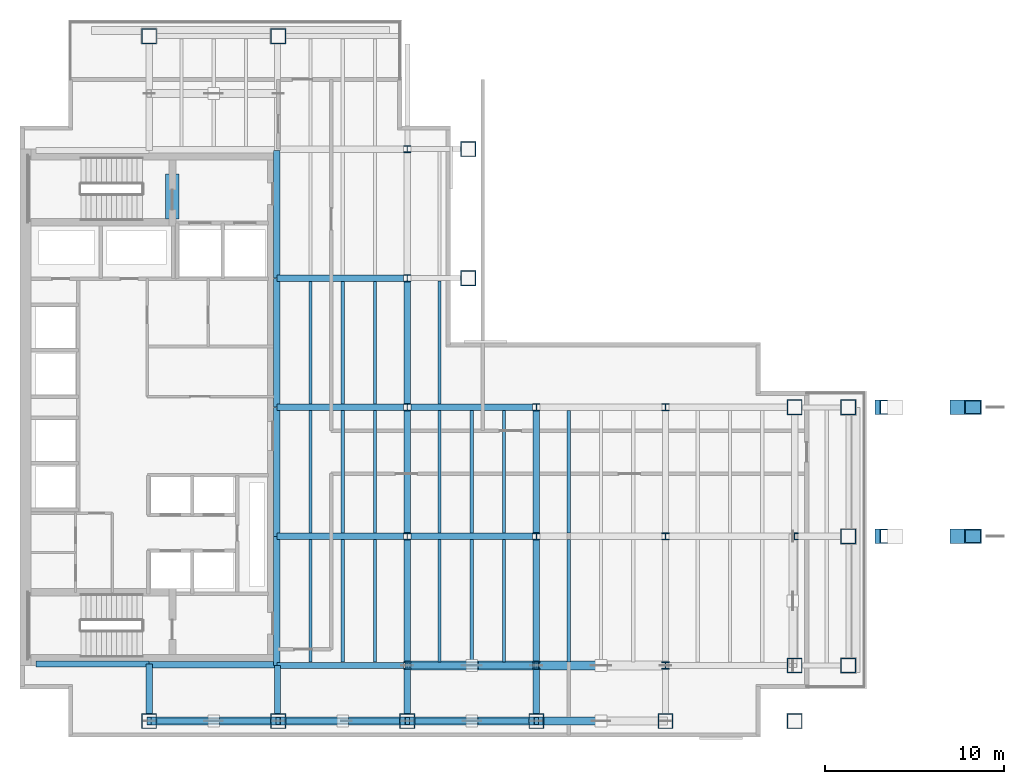
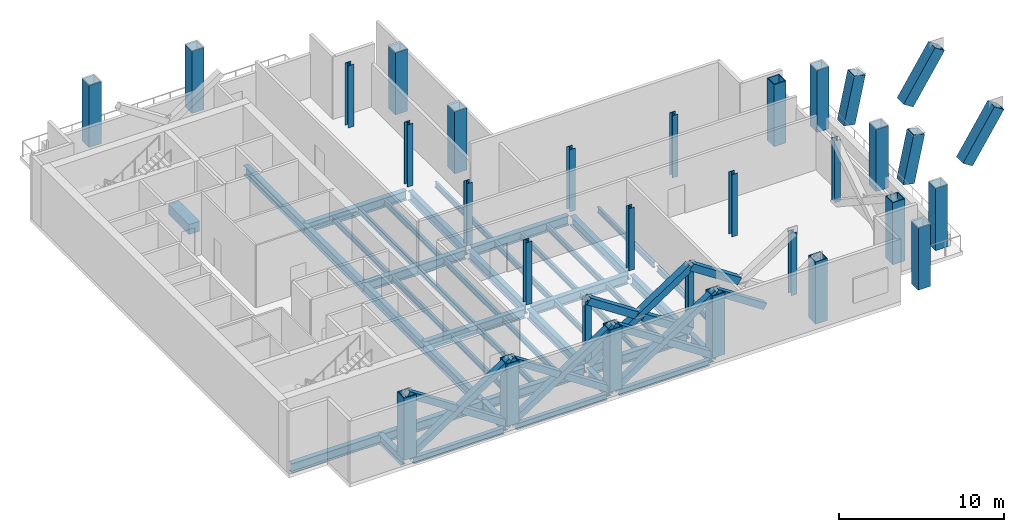
# One storey, part 1 of 8: 44 beams, 31 columns, 14 members.
"""IFC4 building model written with IfcOpenShell, lengths in metres."""

from ifc_helpers import new_model, si_unit, direction, frame, origin, origin_2d, place, context, subcontext, project, spatial, rectangle, hollow_rectangle, i_section, extrude, material, material_profile, profile_set, type_object, element, save


model = new_model("IFC4")

# Units and contexts
model_context = context("Model", 3, precision=1e-05, world=origin(), true_north=direction((0.0, 1.0)))
body_context = subcontext(model_context, "Body", "Model", "MODEL_VIEW")
ifc_project = project(units=[si_unit("LENGTHUNIT", "METRE"), si_unit("AREAUNIT", "SQUARE_METRE"), si_unit("VOLUMEUNIT", "CUBIC_METRE"), si_unit("PLANEANGLEUNIT", "RADIAN"), si_unit("MASSUNIT", "GRAM", prefix="KILO")], contexts=[model_context])

# Site, building, storey
site_placement = place(None, origin())
site = spatial("IfcSite", under=ifc_project, at=site_placement, CompositionType="ELEMENT")
building_placement = place(site_placement, origin())
building = spatial("IfcBuilding", under=site, at=building_placement, Name="Cobrela Telecom Tower", CompositionType="ELEMENT")
storey_placement = place(building_placement, frame((0.0, 0.0, 163.800048828125)))
storey = spatial("IfcBuildingStorey", under=building, at=storey_placement, Name="L41", CompositionType="ELEMENT", Elevation=163.800048828125)

# Columns
ifc_material_1 = material(Name="Steel ASTM A992 Grade 50", Category="steel")
ifc_material_profile_1 = material_profile(ifc_material_1, i_section(OverallWidth=0.39892578125, OverallDepth=0.39404296875, WebThickness=0.022705078125, FlangeThickness=0.03662109375, FilletRadius=0.01806640625, at=origin_2d()), Name="W14X193")
ifc_profile_set_1 = profile_set([ifc_material_profile_1], Name="Steel ASTM A992 Grade 50")
column_type_1 = type_object("IfcColumnType", Name="COL-INT-06", PredefinedType="COLUMN", material=ifc_profile_set_1)
for number, where, z_axis, x_axis, name in (
    (1, (21.60009765625, 7.199951171875, 0.0), (0.0, 0.0, 1.0), (1.0, 0.0, 0.0), "L41 Interior Column 06"),
    (2, (21.60009765625, 14.39990234375, 0.0), (0.0, 0.0, 1.0), (1.0, 0.0, 0.0), "L41 Interior Column 07"),
    (3, (21.60009765625, 21.60009765625, 0.0), (0.0, 0.0, 1.0), (1.0, 0.0, 0.0), "L41 Interior Column 08"),
    (4, (21.60009765625, 28.800048828125, 0.0), (0.0, 0.0, 1.0), (1.0, 0.0, 0.0), "L41 Interior Column 09"),
    (5, (21.60009765625, 36.0, 0.0), (0.0, 0.0, 1.0), (1.0, 0.0, 0.0), "L41 Interior Column 10"),
    (6, (28.800048828125, 7.199951171875, 0.0), (0.0, 0.0, 1.0), (1.0, 0.0, 0.0), "L41 Interior Column 14"),
    (7, (28.800048828125, 14.39990234375, 0.0), (0.0, 0.0, 1.0), (1.0, 0.0, 0.0), "L41 Interior Column 15"),
    (8, (28.800048828125, 21.60009765625, 0.0), (0.0, 0.0, 1.0), (1.0, 0.0, 0.0), "L41 Interior Column 16"),
    (9, (36.0, 7.199951171875, 0.0), (0.0, 0.0, 1.0), (1.0, 0.0, 0.0), "L41 Interior Column 18"),
    (10, (36.0, 14.39990234375, 0.0), (0.0, 0.0, 1.0), (1.0, 0.0, 0.0), "L41 Interior Column 19"),
    (11, (36.0, 21.60009765625, 0.0), (0.0, 0.0, 1.0), (1.0, 0.0, 0.0), "L41 Interior Column 20"),
    (12, (43.199951171875, 14.39990234375, 0.0), (0.0, 0.0, 1.0), (1.0, 0.0, 0.0), "L41 Interior Column 23"),
):
    element("IfcColumn", number, at=place(storey_placement, frame(where, z_axis=z_axis, x_axis=x_axis)), inside=storey, type_object=column_type_1, Name=name, PredefinedType="COLUMN", context=body_context, shape_type="SweptSolid", body=[
        extrude(i_section(OverallWidth=0.39892578125, OverallDepth=0.39404296875, WebThickness=0.022705078125, FlangeThickness=0.03662109375, FilletRadius=0.01806640625, at=origin_2d()), origin(), (0.0, 0.0, 1.0), 4.599853515625),
    ])
ifc_material_2 = material(Name="Steel ASTM A572 Grade 50", Category="steel")
ifc_material_profile_2 = material_profile(ifc_material_2, hollow_rectangle(XDim=0.85009765625, YDim=0.85009765625, WallThickness=0.050048828125, at=origin_2d()), Name="BOX 850x850x50")
ifc_profile_set_2 = profile_set([ifc_material_profile_2], Name="Steel ASTM A572 Grade 50")
column_type_2 = type_object("IfcColumnType", Name="COL-MEGA-06", PredefinedType="COLUMN", material=ifc_profile_set_2)
for number, where, z_axis, x_axis, name in (
    (13, (7.199951171875, 4.10009765625, 0.0), (0.0, 0.0, 1.0), (1.0, 0.0, 0.0), "L41 Perimeter Mega-Column 01"),
    (14, (7.199951171875, 42.300048828125, 0.0), (0.0, 0.0, 1.0), (1.0, 0.0, 0.0), "L41 Perimeter Mega-Column 02"),
    (15, (14.39990234375, 4.10009765625, 0.0), (0.0, 0.0, 1.0), (1.0, 0.0, 0.0), "L41 Perimeter Mega-Column 03"),
    (16, (14.39990234375, 42.300048828125, 0.0), (0.0, 0.0, 1.0), (1.0, 0.0, 0.0), "L41 Perimeter Mega-Column 04"),
    (17, (21.60009765625, 4.10009765625, 0.0), (0.0, 0.0, 1.0), (1.0, 0.0, 0.0), "L41 Perimeter Mega-Column 05"),
    (18, (25.0, 28.800048828125, 0.0), (0.0, 0.0, 1.0), (1.0, 0.0, 0.0), "L41 Perimeter Mega-Column 11"),
    (19, (25.0, 36.0, 0.0), (0.0, 0.0, 1.0), (1.0, 0.0, 0.0), "L41 Perimeter Mega-Column 12"),
    (20, (28.800048828125, 4.10009765625, 0.0), (0.0, 0.0, 1.0), (1.0, 0.0, 0.0), "L41 Perimeter Mega-Column 13"),
    (21, (36.0, 4.10009765625, 0.0), (0.0, 0.0, 1.0), (1.0, 0.0, 0.0), "L41 Perimeter Mega-Column 17"),
    (22, (43.199951171875, 4.10009765625, 0.0), (0.0, 0.0, 1.0), (1.0, 0.0, 0.0), "L41 Perimeter Mega-Column 21"),
    (23, (43.199951171875, 7.199951171875, 0.0), (0.0, 0.0, 1.0), (1.0, 0.0, 0.0), "L41 Perimeter Mega-Column 22"),
    (24, (43.199951171875, 21.60009765625, 0.0), (0.0, 0.0, 1.0), (1.0, 0.0, 0.0), "L41 Perimeter Mega-Column 24"),
    (25, (46.199951171875, 7.199951171875, 0.0), (0.0, 0.0, 1.0), (1.0, 0.0, 0.0), "L41 Perimeter Mega-Column 25"),
    (26, (46.199951171875, 14.39990234375, 0.0), (0.0, 0.0, 1.0), (1.0, 0.0, 0.0), "L41 Perimeter Mega-Column 26"),
    (27, (46.199951171875, 21.60009765625, 0.0), (0.0, 0.0, 1.0), (1.0, 0.0, 0.0), "L41 Perimeter Mega-Column 27"),
):
    element("IfcColumn", number, at=place(storey_placement, frame(where, z_axis=z_axis, x_axis=x_axis)), inside=storey, type_object=column_type_2, Name=name, PredefinedType="COLUMN", context=body_context, shape_type="SweptSolid", body=[
        extrude(hollow_rectangle(XDim=0.85009765625, YDim=0.85009765625, WallThickness=0.050048828125, at=origin_2d()), origin(), (0.0, 0.0, 1.0), 4.599853515625),
    ])
ifc_material_profile_3 = material_profile(ifc_material_2, hollow_rectangle(XDim=0.800048828125, YDim=0.800048828125, WallThickness=0.050048828125, at=origin_2d()), Name="BOX 800x800x50")
ifc_profile_set_3 = profile_set([ifc_material_profile_3], Name="Steel ASTM A572 Grade 50")
column_type_3 = type_object("IfcColumnType", Name="COL-SP-STRUT", PredefinedType="COLUMN", material=ifc_profile_set_3)
column_1_placement = place(storey_placement, frame((48.0703125, 14.39990234375, -0.26513671875), z_axis=(0.208666070964, 0.0, 0.977986948189), x_axis=(0.0, 1.0, 0.0)))
element("IfcColumn", 28, at=column_1_placement, inside=storey, type_object=column_type_3, Name="L41 Sky Pool Raking Mega-Strut Column 1A", PredefinedType="COLUMN", context=body_context, shape_type="SweptSolid", body=[
    extrude(hollow_rectangle(XDim=0.800048828125, YDim=0.800048828125, WallThickness=0.050048828125, at=origin_2d()), origin(), (0.0, 0.0, 1.0), 3.4970703125),
])
column_2_placement = place(storey_placement, frame((52.19873046875, 14.39990234375, -0.26513671875), z_axis=(0.541191351061, 0.0, 0.840899471719), x_axis=(0.0, 1.0, 0.0)))
element("IfcColumn", 29, at=column_2_placement, inside=storey, type_object=column_type_3, Name="L41 Sky Pool Raking Mega-Strut Column 1B", PredefinedType="COLUMN", context=body_context, shape_type="SweptSolid", body=[
    extrude(hollow_rectangle(XDim=0.800048828125, YDim=0.800048828125, WallThickness=0.050048828125, at=origin_2d()), origin(), (0.0, 0.0, 1.0), 4.0673828125),
])
column_3_placement = place(storey_placement, frame((48.0703125, 21.60009765625, -0.26513671875), z_axis=(0.208666070964, 0.0, 0.977986948189), x_axis=(0.0, 1.0, 0.0)))
element("IfcColumn", 30, at=column_3_placement, inside=storey, type_object=column_type_3, Name="L41 Sky Pool Raking Mega-Strut Column 2A", PredefinedType="COLUMN", context=body_context, shape_type="SweptSolid", body=[
    extrude(hollow_rectangle(XDim=0.800048828125, YDim=0.800048828125, WallThickness=0.050048828125, at=origin_2d()), origin(), (0.0, 0.0, 1.0), 3.4970703125),
])
column_4_placement = place(storey_placement, frame((52.19873046875, 21.60009765625, -0.26513671875), z_axis=(0.541191351061, 0.0, 0.840899471719), x_axis=(0.0, 1.0, 0.0)))
element("IfcColumn", 31, at=column_4_placement, inside=storey, type_object=column_type_3, Name="L41 Sky Pool Raking Mega-Strut Column 2B", PredefinedType="COLUMN", context=body_context, shape_type="SweptSolid", body=[
    extrude(hollow_rectangle(XDim=0.800048828125, YDim=0.800048828125, WallThickness=0.050048828125, at=origin_2d()), origin(), (0.0, 0.0, 1.0), 4.0673828125),
])

# Beams
ifc_material_3 = material(Name="Concrete C40/50", Category="concrete")
ifc_material_profile_4 = material_profile(ifc_material_3, rectangle(XDim=0.75, YDim=0.75, at=origin_2d()), Name="RC 750x750")
ifc_profile_set_4 = profile_set([ifc_material_profile_4], Name="Concrete C40/50")
beam_type_1 = type_object("IfcBeamType", Name="BM-COUP-RC", PredefinedType="LINTEL", material=ifc_profile_set_4)
beam_1_placement = place(storey_placement, frame((8.5, 32.10009765625, -0.6201171875), z_axis=(0.0, 1.0, 0.0), x_axis=(-1.0, 0.0, 0.0)))
element("IfcBeam", 32, at=beam_1_placement, inside=storey, type_object=beam_type_1, Name="L41 Core Coupling Lintel Beam", PredefinedType="LINTEL", context=body_context, shape_type="SweptSolid", body=[
    extrude(rectangle(XDim=0.75, YDim=0.75, at=origin_2d()), origin(), (0.0, 0.0, 1.0), 2.5),
])
ifc_material_profile_5 = material_profile(ifc_material_1, i_section(OverallWidth=0.35595703125, OverallDepth=0.696044921875, WebThickness=0.015380859375, FlangeThickness=0.024658203125, FilletRadius=0.01806640625, at=origin_2d()), Name="W27X146")
ifc_profile_set_5 = profile_set([ifc_material_profile_5], Name="Steel ASTM A992 Grade 50")
beam_type_2 = type_object("IfcBeamType", Name="BM-GIRD-05", PredefinedType="USERDEFINED", material=ifc_profile_set_5)
beam_2_placement = place(storey_placement, frame((0.905029296875, 7.280029296875, -0.6181640625), z_axis=(1.0, 0.0, 0.0), x_axis=(0.0, 1.0, 0.0)))
element("IfcBeam", 33, at=beam_2_placement, inside=storey, type_object=beam_type_2, Name="L41 Primary Girder X05", ObjectType="GIRDER", PredefinedType="USERDEFINED", context=body_context, shape_type="SweptSolid", body=[
    extrude(i_section(OverallWidth=0.35595703125, OverallDepth=0.696044921875, WebThickness=0.015380859375, FlangeThickness=0.024658203125, FilletRadius=0.01806640625, at=origin_2d()), origin(), (0.0, 0.0, 1.0), 6.2900390625),
])
beam_3_placement = place(storey_placement, frame((7.205078125, 7.239990234375, -0.6181640625), z_axis=(1.0, 0.0, 0.0), x_axis=(0.0, 1.0, 0.0)))
element("IfcBeam", 34, at=beam_3_placement, inside=storey, type_object=beam_type_2, Name="L41 Primary Girder X06", ObjectType="GIRDER", PredefinedType="USERDEFINED", context=body_context, shape_type="SweptSolid", body=[
    extrude(i_section(OverallWidth=0.35595703125, OverallDepth=0.696044921875, WebThickness=0.015380859375, FlangeThickness=0.024658203125, FilletRadius=0.01806640625, at=origin_2d()), origin(), (0.0, 0.0, 1.0), 7.10986328125),
])
beam_4_placement = place(storey_placement, frame((14.324951171875, 7.199951171875, -0.6181640625), z_axis=(1.0, 0.0, 0.0), x_axis=(0.0, 1.0, 0.0)))
element("IfcBeam", 35, at=beam_4_placement, inside=storey, type_object=beam_type_2, Name="L41 Primary Girder X07", ObjectType="GIRDER", PredefinedType="USERDEFINED", context=body_context, shape_type="SweptSolid", body=[
    extrude(i_section(OverallWidth=0.35595703125, OverallDepth=0.696044921875, WebThickness=0.015380859375, FlangeThickness=0.024658203125, FilletRadius=0.01806640625, at=origin_2d()), origin(), (0.0, 0.0, 1.0), 7.070556640625),
])
beam_5_placement = place(storey_placement, frame((21.804443359375, 7.199951171875, -0.6181640625), z_axis=(1.0, 0.0, 0.0), x_axis=(0.0, 1.0, 0.0)))
element("IfcBeam", 36, at=beam_5_placement, inside=storey, type_object=beam_type_2, Name="L41 Primary Girder X08", ObjectType="GIRDER", PredefinedType="USERDEFINED", context=body_context, shape_type="SweptSolid", body=[
    extrude(i_section(OverallWidth=0.35595703125, OverallDepth=0.696044921875, WebThickness=0.015380859375, FlangeThickness=0.024658203125, FilletRadius=0.01806640625, at=origin_2d()), origin(), (0.0, 0.0, 1.0), 6.791015625),
])
beam_6_placement = place(storey_placement, frame((14.324951171875, 14.39990234375, -0.6181640625), z_axis=(1.0, 0.0, 0.0), x_axis=(0.0, 1.0, 0.0)))
element("IfcBeam", 37, at=beam_6_placement, inside=storey, type_object=beam_type_2, Name="L41 Primary Girder X12", ObjectType="GIRDER", PredefinedType="USERDEFINED", context=body_context, shape_type="SweptSolid", body=[
    extrude(i_section(OverallWidth=0.35595703125, OverallDepth=0.696044921875, WebThickness=0.015380859375, FlangeThickness=0.024658203125, FilletRadius=0.01806640625, at=origin_2d()), origin(), (0.0, 0.0, 1.0), 7.070556640625),
])
beam_7_placement = place(storey_placement, frame((21.804443359375, 14.39990234375, -0.6181640625), z_axis=(1.0, 0.0, 0.0), x_axis=(0.0, 1.0, 0.0)))
element("IfcBeam", 38, at=beam_7_placement, inside=storey, type_object=beam_type_2, Name="L41 Primary Girder X13", ObjectType="GIRDER", PredefinedType="USERDEFINED", context=body_context, shape_type="SweptSolid", body=[
    extrude(i_section(OverallWidth=0.35595703125, OverallDepth=0.696044921875, WebThickness=0.015380859375, FlangeThickness=0.024658203125, FilletRadius=0.01806640625, at=origin_2d()), origin(), (0.0, 0.0, 1.0), 6.791015625),
])
beam_8_placement = place(storey_placement, frame((14.324951171875, 21.60009765625, -0.6181640625), z_axis=(1.0, 0.0, 0.0), x_axis=(0.0, 1.0, 0.0)))
element("IfcBeam", 39, at=beam_8_placement, inside=storey, type_object=beam_type_2, Name="L41 Primary Girder X17", ObjectType="GIRDER", PredefinedType="USERDEFINED", context=body_context, shape_type="SweptSolid", body=[
    extrude(i_section(OverallWidth=0.35595703125, OverallDepth=0.696044921875, WebThickness=0.015380859375, FlangeThickness=0.024658203125, FilletRadius=0.01806640625, at=origin_2d()), origin(), (0.0, 0.0, 1.0), 7.070556640625),
])
beam_9_placement = place(storey_placement, frame((21.804443359375, 21.60009765625, -0.6181640625), z_axis=(1.0, 0.0, 0.0), x_axis=(0.0, 1.0, 0.0)))
element("IfcBeam", 40, at=beam_9_placement, inside=storey, type_object=beam_type_2, Name="L41 Primary Girder X18", ObjectType="GIRDER", PredefinedType="USERDEFINED", context=body_context, shape_type="SweptSolid", body=[
    extrude(i_section(OverallWidth=0.35595703125, OverallDepth=0.696044921875, WebThickness=0.015380859375, FlangeThickness=0.024658203125, FilletRadius=0.01806640625, at=origin_2d()), origin(), (0.0, 0.0, 1.0), 6.791015625),
])
beam_10_placement = place(storey_placement, frame((14.324951171875, 28.800048828125, -0.6181640625), z_axis=(1.0, 0.0, 0.0), x_axis=(0.0, 1.0, 0.0)))
element("IfcBeam", 41, at=beam_10_placement, inside=storey, type_object=beam_type_2, Name="L41 Primary Girder X22", ObjectType="GIRDER", PredefinedType="USERDEFINED", context=body_context, shape_type="SweptSolid", body=[
    extrude(i_section(OverallWidth=0.35595703125, OverallDepth=0.696044921875, WebThickness=0.015380859375, FlangeThickness=0.024658203125, FilletRadius=0.01806640625, at=origin_2d()), origin(), (0.0, 0.0, 1.0), 7.070556640625),
])
beam_11_placement = place(storey_placement, frame((7.199951171875, 4.530029296875, -0.6181640625), z_axis=(0.0, 1.0, 0.0), x_axis=(-1.0, 0.0, 0.0)))
element("IfcBeam", 42, at=beam_11_placement, inside=storey, type_object=beam_type_2, Name="L41 Primary Girder Y30", ObjectType="GIRDER", PredefinedType="USERDEFINED", context=body_context, shape_type="SweptSolid", body=[
    extrude(i_section(OverallWidth=0.35595703125, OverallDepth=0.696044921875, WebThickness=0.015380859375, FlangeThickness=0.024658203125, FilletRadius=0.01806640625, at=origin_2d()), origin(), (0.0, 0.0, 1.0), 2.744873046875),
])
beam_12_placement = place(storey_placement, frame((14.360107421875, 4.530029296875, -0.6181640625), z_axis=(0.0, 1.0, 0.0), x_axis=(-1.0, 0.0, 0.0)))
element("IfcBeam", 43, at=beam_12_placement, inside=storey, type_object=beam_type_2, Name="L41 Primary Girder Y32", ObjectType="GIRDER", PredefinedType="USERDEFINED", context=body_context, shape_type="SweptSolid", body=[
    extrude(i_section(OverallWidth=0.35595703125, OverallDepth=0.696044921875, WebThickness=0.015380859375, FlangeThickness=0.024658203125, FilletRadius=0.01806640625, at=origin_2d()), origin(), (0.0, 0.0, 1.0), 2.6650390625),
])
for number, where, z_axis, x_axis, name in (
    (44, (14.320068359375, 7.205078125, -0.6181640625), (0.0, 1.0, 0.0), (-1.0, 0.0, 0.0), "L41 Primary Girder Y33"),
    (45, (14.320068359375, 14.405029296875, -0.6181640625), (0.0, 1.0, 0.0), (-1.0, 0.0, 0.0), "L41 Primary Girder Y34"),
    (46, (14.320068359375, 21.60498046875, -0.6181640625), (0.0, 1.0, 0.0), (-1.0, 0.0, 0.0), "L41 Primary Girder Y35"),
):
    element("IfcBeam", number, at=place(storey_placement, frame(where, z_axis=z_axis, x_axis=x_axis)), inside=storey, type_object=beam_type_2, Name=name, ObjectType="GIRDER", PredefinedType="USERDEFINED", context=body_context, shape_type="SweptSolid", body=[
        extrude(i_section(OverallWidth=0.35595703125, OverallDepth=0.696044921875, WebThickness=0.015380859375, FlangeThickness=0.024658203125, FilletRadius=0.01806640625, at=origin_2d()), origin(), (0.0, 0.0, 1.0), 7.18994140625),
    ])
beam_13_placement = place(storey_placement, frame((14.320068359375, 28.804931640625, -0.6181640625), z_axis=(0.0, 1.0, 0.0), x_axis=(-1.0, 0.0, 0.0)))
element("IfcBeam", 47, at=beam_13_placement, inside=storey, type_object=beam_type_2, Name="L41 Primary Girder Y36", ObjectType="GIRDER", PredefinedType="USERDEFINED", context=body_context, shape_type="SweptSolid", body=[
    extrude(i_section(OverallWidth=0.35595703125, OverallDepth=0.696044921875, WebThickness=0.015380859375, FlangeThickness=0.024658203125, FilletRadius=0.01806640625, at=origin_2d()), origin(), (0.0, 0.0, 1.0), 7.110107421875),
])
beam_14_placement = place(storey_placement, frame((21.60009765625, 4.530029296875, -0.6181640625), z_axis=(0.0, 1.0, 0.0), x_axis=(-1.0, 0.0, 0.0)))
element("IfcBeam", 48, at=beam_14_placement, inside=storey, type_object=beam_type_2, Name="L41 Primary Girder Y38", ObjectType="GIRDER", PredefinedType="USERDEFINED", context=body_context, shape_type="SweptSolid", body=[
    extrude(i_section(OverallWidth=0.35595703125, OverallDepth=0.696044921875, WebThickness=0.015380859375, FlangeThickness=0.024658203125, FilletRadius=0.01806640625, at=origin_2d()), origin(), (0.0, 0.0, 1.0), 2.465576171875),
])
for number, where, z_axis, x_axis, name in (
    (49, (21.60009765625, 7.404541015625, -0.6181640625), (0.0, 1.0, 0.0), (-1.0, 0.0, 0.0), "L41 Primary Girder Y39"),
    (50, (21.60009765625, 14.6044921875, -0.6181640625), (0.0, 1.0, 0.0), (-1.0, 0.0, 0.0), "L41 Primary Girder Y40"),
    (51, (21.60009765625, 21.804443359375, -0.6181640625), (0.0, 1.0, 0.0), (-1.0, 0.0, 0.0), "L41 Primary Girder Y41"),
):
    element("IfcBeam", number, at=place(storey_placement, frame(where, z_axis=z_axis, x_axis=x_axis)), inside=storey, type_object=beam_type_2, Name=name, ObjectType="GIRDER", PredefinedType="USERDEFINED", context=body_context, shape_type="SweptSolid", body=[
        extrude(i_section(OverallWidth=0.35595703125, OverallDepth=0.696044921875, WebThickness=0.015380859375, FlangeThickness=0.024658203125, FilletRadius=0.01806640625, at=origin_2d()), origin(), (0.0, 0.0, 1.0), 6.791015625),
    ])
beam_15_placement = place(storey_placement, frame((28.800048828125, 4.530029296875, -0.6181640625), z_axis=(0.0, 1.0, 0.0), x_axis=(-1.0, 0.0, 0.0)))
element("IfcBeam", 52, at=beam_15_placement, inside=storey, type_object=beam_type_2, Name="L41 Primary Girder Y44", ObjectType="GIRDER", PredefinedType="USERDEFINED", context=body_context, shape_type="SweptSolid", body=[
    extrude(i_section(OverallWidth=0.35595703125, OverallDepth=0.696044921875, WebThickness=0.015380859375, FlangeThickness=0.024658203125, FilletRadius=0.01806640625, at=origin_2d()), origin(), (0.0, 0.0, 1.0), 2.465576171875),
])
for number, where, z_axis, x_axis, name in (
    (53, (28.800048828125, 7.404541015625, -0.6181640625), (0.0, 1.0, 0.0), (-1.0, 0.0, 0.0), "L41 Primary Girder Y45"),
    (54, (28.800048828125, 14.6044921875, -0.6181640625), (0.0, 1.0, 0.0), (-1.0, 0.0, 0.0), "L41 Primary Girder Y46"),
):
    element("IfcBeam", number, at=place(storey_placement, frame(where, z_axis=z_axis, x_axis=x_axis)), inside=storey, type_object=beam_type_2, Name=name, ObjectType="GIRDER", PredefinedType="USERDEFINED", context=body_context, shape_type="SweptSolid", body=[
        extrude(i_section(OverallWidth=0.35595703125, OverallDepth=0.696044921875, WebThickness=0.015380859375, FlangeThickness=0.024658203125, FilletRadius=0.01806640625, at=origin_2d()), origin(), (0.0, 0.0, 1.0), 6.791015625),
    ])
ifc_material_profile_6 = material_profile(ifc_material_1, i_section(OverallWidth=0.179931640625, OverallDepth=0.4169921875, WebThickness=0.010986328125, FlangeThickness=0.01806640625, FilletRadius=0.011962890625, at=origin_2d()), Name="W16X57")
ifc_profile_set_6 = profile_set([ifc_material_profile_6], Name="Steel ASTM A992 Grade 50")
beam_type_3 = type_object("IfcBeamType", Name="BM-JOIST-04", PredefinedType="JOIST", material=ifc_profile_set_6)
for number, where, z_axis, x_axis, name in (
    (55, (16.199951171875, 7.383056640625, -0.478515625), (0.0, 1.0, 0.0), (-1.0, 0.0, 0.0), "L41 Secondary Composite Floor Beam J04"),
    (56, (16.199951171875, 14.5830078125, -0.478515625), (0.0, 1.0, 0.0), (-1.0, 0.0, 0.0), "L41 Secondary Composite Floor Beam J05"),
    (57, (16.199951171875, 21.782958984375, -0.478515625), (0.0, 1.0, 0.0), (-1.0, 0.0, 0.0), "L41 Secondary Composite Floor Beam J06"),
    (58, (18.0, 7.383056640625, -0.478515625), (0.0, 1.0, 0.0), (-1.0, 0.0, 0.0), "L41 Secondary Composite Floor Beam J09"),
    (59, (18.0, 14.5830078125, -0.478515625), (0.0, 1.0, 0.0), (-1.0, 0.0, 0.0), "L41 Secondary Composite Floor Beam J10"),
    (60, (18.0, 21.782958984375, -0.478515625), (0.0, 1.0, 0.0), (-1.0, 0.0, 0.0), "L41 Secondary Composite Floor Beam J11"),
    (61, (19.800048828125, 7.383056640625, -0.478515625), (0.0, 1.0, 0.0), (-1.0, 0.0, 0.0), "L41 Secondary Composite Floor Beam J14"),
    (62, (19.800048828125, 14.5830078125, -0.478515625), (0.0, 1.0, 0.0), (-1.0, 0.0, 0.0), "L41 Secondary Composite Floor Beam J15"),
    (63, (19.800048828125, 21.782958984375, -0.478515625), (0.0, 1.0, 0.0), (-1.0, 0.0, 0.0), "L41 Secondary Composite Floor Beam J16"),
    (64, (23.39990234375, 7.383056640625, -0.478515625), (0.0, 1.0, 0.0), (-1.0, 0.0, 0.0), "L41 Secondary Composite Floor Beam J19"),
    (65, (23.39990234375, 14.5830078125, -0.478515625), (0.0, 1.0, 0.0), (-1.0, 0.0, 0.0), "L41 Secondary Composite Floor Beam J20"),
):
    element("IfcBeam", number, at=place(storey_placement, frame(where, z_axis=z_axis, x_axis=x_axis)), inside=storey, type_object=beam_type_3, Name=name, PredefinedType="JOIST", context=body_context, shape_type="SweptSolid", body=[
        extrude(i_section(OverallWidth=0.179931640625, OverallDepth=0.4169921875, WebThickness=0.010986328125, FlangeThickness=0.01806640625, FilletRadius=0.011962890625, at=origin_2d()), origin(), (0.0, 0.0, 1.0), 6.833984375),
    ])
beam_16_placement = place(storey_placement, frame((23.39990234375, 21.782958984375, -0.478515625), z_axis=(0.0, 1.0, 0.0), x_axis=(-1.0, 0.0, 0.0)))
element("IfcBeam", 66, at=beam_16_placement, inside=storey, type_object=beam_type_3, Name="L41 Secondary Composite Floor Beam J21", PredefinedType="JOIST", context=body_context, shape_type="SweptSolid", body=[
    extrude(i_section(OverallWidth=0.179931640625, OverallDepth=0.4169921875, WebThickness=0.010986328125, FlangeThickness=0.01806640625, FilletRadius=0.011962890625, at=origin_2d()), origin(), (0.0, 0.0, 1.0), 6.87109375),
])
for number, where, z_axis, x_axis, name in (
    (67, (25.199951171875, 7.383056640625, -0.478515625), (0.0, 1.0, 0.0), (-1.0, 0.0, 0.0), "L41 Secondary Composite Floor Beam J23"),
    (68, (25.199951171875, 14.5830078125, -0.478515625), (0.0, 1.0, 0.0), (-1.0, 0.0, 0.0), "L41 Secondary Composite Floor Beam J24"),
    (69, (27.0, 7.383056640625, -0.478515625), (0.0, 1.0, 0.0), (-1.0, 0.0, 0.0), "L41 Secondary Composite Floor Beam J25"),
    (70, (27.0, 14.5830078125, -0.478515625), (0.0, 1.0, 0.0), (-1.0, 0.0, 0.0), "L41 Secondary Composite Floor Beam J26"),
    (71, (30.60009765625, 7.383056640625, -0.478515625), (0.0, 1.0, 0.0), (-1.0, 0.0, 0.0), "L41 Secondary Composite Floor Beam J27"),
    (72, (30.60009765625, 14.5830078125, -0.478515625), (0.0, 1.0, 0.0), (-1.0, 0.0, 0.0), "L41 Secondary Composite Floor Beam J28"),
):
    element("IfcBeam", number, at=place(storey_placement, frame(where, z_axis=z_axis, x_axis=x_axis)), inside=storey, type_object=beam_type_3, Name=name, PredefinedType="JOIST", context=body_context, shape_type="SweptSolid", body=[
        extrude(i_section(OverallWidth=0.179931640625, OverallDepth=0.4169921875, WebThickness=0.010986328125, FlangeThickness=0.01806640625, FilletRadius=0.011962890625, at=origin_2d()), origin(), (0.0, 0.0, 1.0), 6.833984375),
    ])
ifc_material_profile_7 = material_profile(ifc_material_1, i_section(OverallWidth=0.281982421875, OverallDepth=0.467041015625, WebThickness=0.01220703125, FlangeThickness=0.01953125, FilletRadius=0.012939453125, at=origin_2d()), Name="W18X86")
ifc_profile_set_7 = profile_set([ifc_material_profile_7], Name="Steel ASTM A992 Grade 50")
beam_type_4 = type_object("IfcBeamType", Name="BM-SPAND-04", PredefinedType="SPANDREL", material=ifc_profile_set_7)
beam_17_placement = place(storey_placement, frame((7.6298828125, 4.10009765625, -0.503662109375), z_axis=(1.0, 0.0, 0.0), x_axis=(0.0, 1.0, 0.0)))
element("IfcBeam", 73, at=beam_17_placement, inside=storey, type_object=beam_type_4, Name="L41 Perimeter Spandrel X01", PredefinedType="SPANDREL", context=body_context, shape_type="SweptSolid", body=[
    extrude(i_section(OverallWidth=0.281982421875, OverallDepth=0.467041015625, WebThickness=0.01220703125, FlangeThickness=0.01953125, FilletRadius=0.012939453125, at=origin_2d()), origin(), (0.0, 0.0, 1.0), 6.340087890625),
])
beam_18_placement = place(storey_placement, frame((14.830078125, 4.10009765625, -0.503662109375), z_axis=(1.0, 0.0, 0.0), x_axis=(0.0, 1.0, 0.0)))
element("IfcBeam", 74, at=beam_18_placement, inside=storey, type_object=beam_type_4, Name="L41 Perimeter Spandrel X02", PredefinedType="SPANDREL", context=body_context, shape_type="SweptSolid", body=[
    extrude(i_section(OverallWidth=0.281982421875, OverallDepth=0.467041015625, WebThickness=0.01220703125, FlangeThickness=0.01953125, FilletRadius=0.012939453125, at=origin_2d()), origin(), (0.0, 0.0, 1.0), 6.33984375),
])
beam_19_placement = place(storey_placement, frame((22.030029296875, 4.10009765625, -0.503662109375), z_axis=(1.0, 0.0, 0.0), x_axis=(0.0, 1.0, 0.0)))
element("IfcBeam", 75, at=beam_19_placement, inside=storey, type_object=beam_type_4, Name="L41 Perimeter Spandrel X03", PredefinedType="SPANDREL", context=body_context, shape_type="SweptSolid", body=[
    extrude(i_section(OverallWidth=0.281982421875, OverallDepth=0.467041015625, WebThickness=0.01220703125, FlangeThickness=0.01953125, FilletRadius=0.012939453125, at=origin_2d()), origin(), (0.0, 0.0, 1.0), 6.340087890625),
])

# Members
ifc_material_profile_8 = material_profile(ifc_material_2, hollow_rectangle(XDim=0.449951171875, YDim=0.449951171875, WallThickness=0.02197265625, at=origin_2d()), Name="HSS 450x450x22")
ifc_profile_set_8 = profile_set([ifc_material_profile_8], Name="Steel ASTM A572 Grade 50")
member_type_1 = type_object("IfcMemberType", Name="MBR-BELT", PredefinedType="BRACE", material=ifc_profile_set_8)
member_1_placement = place(storey_placement, frame((7.199951171875, 4.10009765625, -0.14013671875), z_axis=(0.835247643706, 0.0, 0.549873961634), x_axis=(0.0, 1.0, 0.0)))
element("IfcMember", 76, at=member_1_placement, inside=storey, type_object=member_type_1, Name="L41 South Perimeter Belt Truss Brace 03 Continuous A", PredefinedType="BRACE", context=body_context, shape_type="SweptSolid", body=[
    extrude(hollow_rectangle(XDim=0.449951171875, YDim=0.449951171875, WallThickness=0.02197265625, at=origin_2d()), origin(), (0.0, 0.0, 1.0), 8.6201171875),
])
for number, where, z_axis, x_axis, name in (
    (77, (14.39990234375, 4.10009765625, -0.14013671875), (-0.835238934653, 0.0, 0.549887190285), (0.0, -1.0, 0.0), "L41 South Perimeter Belt Truss Brace 03 Split B1"),
    (78, (10.589599609375, 4.10009765625, 2.36865234375), (-0.835284754685, 0.0, 0.549817586651), (0.0, -1.0, 0.0), "L41 South Perimeter Belt Truss Brace 03 Split B2"),
):
    element("IfcMember", number, at=place(storey_placement, frame(where, z_axis=z_axis, x_axis=x_axis)), inside=storey, type_object=member_type_1, Name=name, PredefinedType="BRACE", context=body_context, shape_type="SweptSolid", body=[
        extrude(hollow_rectangle(XDim=0.449951171875, YDim=0.449951171875, WallThickness=0.02197265625, at=origin_2d()), origin(), (0.0, 0.0, 1.0), 4.05810546875),
    ])
member_2_placement = place(storey_placement, frame((14.39990234375, 4.10009765625, -0.14013671875), z_axis=(0.835256206917, 0.0, 0.549860954066), x_axis=(0.0, 1.0, 0.0)))
element("IfcMember", 79, at=member_2_placement, inside=storey, type_object=member_type_1, Name="L41 South Perimeter Belt Truss Brace 04 Continuous A", PredefinedType="BRACE", context=body_context, shape_type="SweptSolid", body=[
    extrude(hollow_rectangle(XDim=0.449951171875, YDim=0.449951171875, WallThickness=0.02197265625, at=origin_2d()), origin(), (0.0, 0.0, 1.0), 8.620361328125),
])
for number, where, z_axis, x_axis, name in (
    (80, (21.60009765625, 4.10009765625, -0.14013671875), (-0.835257125037, 0.0, 0.54985955941), (0.0, -1.0, 0.0), "L41 South Perimeter Belt Truss Brace 04 Split B1"),
    (81, (17.78955078125, 4.10009765625, 2.36865234375), (-0.835284754685, 0.0, 0.549817586651), (0.0, -1.0, 0.0), "L41 South Perimeter Belt Truss Brace 04 Split B2"),
):
    element("IfcMember", number, at=place(storey_placement, frame(where, z_axis=z_axis, x_axis=x_axis)), inside=storey, type_object=member_type_1, Name=name, PredefinedType="BRACE", context=body_context, shape_type="SweptSolid", body=[
        extrude(hollow_rectangle(XDim=0.449951171875, YDim=0.449951171875, WallThickness=0.02197265625, at=origin_2d()), origin(), (0.0, 0.0, 1.0), 4.05810546875),
    ])
member_3_placement = place(storey_placement, frame((21.60009765625, 4.10009765625, -0.14013671875), z_axis=(0.835247643706, 0.0, 0.549873961634), x_axis=(0.0, 1.0, 0.0)))
element("IfcMember", 82, at=member_3_placement, inside=storey, type_object=member_type_1, Name="L41 South Perimeter Belt Truss Brace 05 Continuous A", PredefinedType="BRACE", context=body_context, shape_type="SweptSolid", body=[
    extrude(hollow_rectangle(XDim=0.449951171875, YDim=0.449951171875, WallThickness=0.02197265625, at=origin_2d()), origin(), (0.0, 0.0, 1.0), 8.6201171875),
])
member_4_placement = place(storey_placement, frame((28.800048828125, 4.10009765625, -0.14013671875), z_axis=(-0.835257125037, 0.0, 0.54985955941), x_axis=(0.0, -1.0, 0.0)))
element("IfcMember", 83, at=member_4_placement, inside=storey, type_object=member_type_1, Name="L41 South Perimeter Belt Truss Brace 05 Split B1", PredefinedType="BRACE", context=body_context, shape_type="SweptSolid", body=[
    extrude(hollow_rectangle(XDim=0.449951171875, YDim=0.449951171875, WallThickness=0.02197265625, at=origin_2d()), origin(), (0.0, 0.0, 1.0), 4.05810546875),
])
for number, where, z_axis, x_axis, name in (
    (84, (24.989501953125, 4.10009765625, 2.36865234375), (-0.835266566476, 0.0, 0.549845217246), (0.0, -1.0, 0.0), "L41 South Perimeter Belt Truss Brace 05 Split B2"),
    (85, (32.189453125, 4.10009765625, 2.36865234375), (-0.835266566476, 0.0, 0.549845217246), (0.0, -1.0, 0.0), "L41 South Perimeter Belt Truss Brace 06 Split B2"),
):
    element("IfcMember", number, at=place(storey_placement, frame(where, z_axis=z_axis, x_axis=x_axis)), inside=storey, type_object=member_type_1, Name=name, PredefinedType="BRACE", context=body_context, shape_type="SweptSolid", body=[
        extrude(hollow_rectangle(XDim=0.449951171875, YDim=0.449951171875, WallThickness=0.02197265625, at=origin_2d()), origin(), (0.0, 0.0, 1.0), 4.057861328125),
    ])
ifc_material_profile_9 = material_profile(ifc_material_2, hollow_rectangle(XDim=0.5, YDim=0.5, WallThickness=0.02490234375, at=origin_2d()), Name="HSS 500x500x25")
ifc_profile_set_9 = profile_set([ifc_material_profile_9], Name="Steel ASTM A572 Grade 50")
member_type_2 = type_object("IfcMemberType", Name="MBR-OUTRIGGER", PredefinedType="BRACE", material=ifc_profile_set_9)
member_5_placement = place(storey_placement, frame((21.60009765625, 7.199951171875, -0.14013671875), z_axis=(0.835247643706, 0.0, 0.549873961634), x_axis=(0.0, 1.0, 0.0)))
element("IfcMember", 86, at=member_5_placement, inside=storey, type_object=member_type_2, Name="L41 Outrigger Truss Brace 01 Continuous A", PredefinedType="BRACE", context=body_context, shape_type="SweptSolid", body=[
    extrude(hollow_rectangle(XDim=0.5, YDim=0.5, WallThickness=0.02490234375, at=origin_2d()), origin(), (0.0, 0.0, 1.0), 8.6201171875),
])
member_6_placement = place(storey_placement, frame((28.800048828125, 7.199951171875, -0.14013671875), z_axis=(-0.835251618312, 0.0, 0.54986792424), x_axis=(0.0, -1.0, 0.0)))
element("IfcMember", 87, at=member_6_placement, inside=storey, type_object=member_type_2, Name="L41 Outrigger Truss Brace 01 Split B1", PredefinedType="BRACE", context=body_context, shape_type="SweptSolid", body=[
    extrude(hollow_rectangle(XDim=0.5, YDim=0.5, WallThickness=0.02490234375, at=origin_2d()), origin(), (0.0, 0.0, 1.0), 4.0302734375),
])
for number, where, z_axis, x_axis, name in (
    (88, (24.966064453125, 7.199951171875, 2.384033203125), (-0.835261125111, 0.0, 0.549853483101), (0.0, -1.0, 0.0), "L41 Outrigger Truss Brace 01 Split B2"),
    (89, (32.166015625, 7.199951171875, 2.384033203125), (-0.835261125111, 0.0, 0.549853483101), (0.0, -1.0, 0.0), "L41 Outrigger Truss Brace 02 Split B2"),
):
    element("IfcMember", number, at=place(storey_placement, frame(where, z_axis=z_axis, x_axis=x_axis)), inside=storey, type_object=member_type_2, Name=name, PredefinedType="BRACE", context=body_context, shape_type="SweptSolid", body=[
        extrude(hollow_rectangle(XDim=0.5, YDim=0.5, WallThickness=0.02490234375, at=origin_2d()), origin(), (0.0, 0.0, 1.0), 4.02978515625),
    ])

save(model, "model.ifc")
